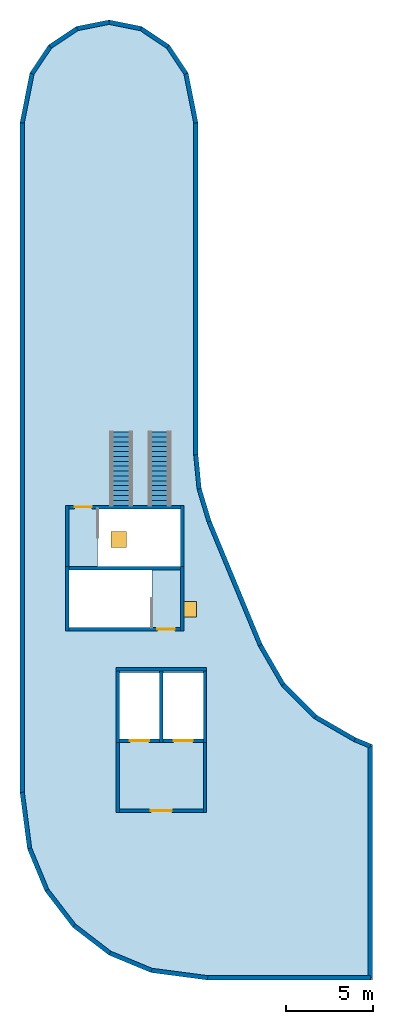
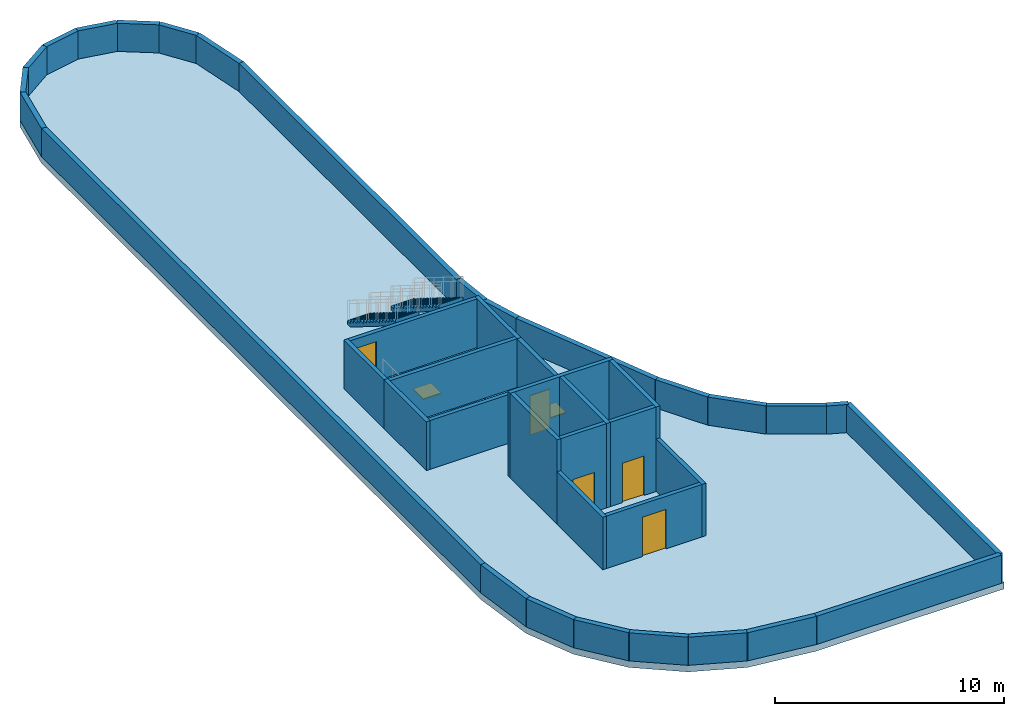
# One storey, part 1 of 2: 41 walls, 7 doors, 2 stair flights, 1 slab, 7 openings, 2 elements without a shape of their own.
"""IFC4 building model written with IfcOpenShell, lengths in metres."""

from ifc_helpers import new_model, si_unit, direction, frame, frame_2d, origin, origin_2d, place, context, subcontext, project, spatial, polyline, rectangle, outline, extrude, material, layer, layer_set, type_object, element, fill, aggregate, save


model = new_model("IFC4")

# Units and contexts
model_context = context("Model", 3, precision=1e-05, world=origin(), true_north=direction((0.0, 1.0)))
body_context = subcontext(model_context, "Body", "Model", "MODEL_VIEW")
ifc_project = project(units=[si_unit("LENGTHUNIT", "METRE"), si_unit("AREAUNIT", "SQUARE_METRE"), si_unit("VOLUMEUNIT", "CUBIC_METRE"), si_unit("PLANEANGLEUNIT", "RADIAN"), si_unit("MASSUNIT", "GRAM", prefix="KILO")], contexts=[model_context])

# Site, building, storey
site_placement = place(None, origin())
site = spatial("IfcSite", under=ifc_project, at=site_placement, CompositionType="ELEMENT")
building_placement = place(site_placement, origin())
building = spatial("IfcBuilding", under=site, at=building_placement, Name="Qaws Garden Tower", CompositionType="ELEMENT")
storey_placement = place(building_placement, frame((0.0, 0.0, 377.699951171875)))
storey = spatial("IfcBuildingStorey", under=building, at=storey_placement, Name="RF", CompositionType="ELEMENT", Elevation=377.699951171875)

# Slab, openings, doors
ifc_material_1 = material(Name="Concrete C40", Category="concrete")
ifc_layer_1 = layer(ifc_material_1, 0.35009765625)
ifc_layer_set_1 = layer_set([ifc_layer_1], Name="Concrete C40")
slab_type = type_object("IfcSlabType", Name="Floor slab 350 C40", PredefinedType="FLOOR", material=ifc_layer_set_1)
slab_placement = place(storey_placement, frame((0.0, 0.0, -0.349853515625)))
slab = element("IfcSlab", 1, at=slab_placement, inside=storey, type_object=slab_type, Name="Floor slab RF", PredefinedType="FLOOR", context=body_context, shape_type="SweptSolid", body=[
    extrude(outline(polyline([(17.407958984375, 10.32666015625), (14.99267578125, 11.3271484375), (12.918701171875, 12.918701171875), (11.3271484375, 14.99267578125), (10.32666015625, 17.407958984375), (9.89990234375, 20.64892578125), (9.89990234375, 59.02490234375), (10.46728515625, 61.87744140625), (11.531005859375, 63.468994140625), (13.12255859375, 64.53271484375), (15.0, 64.906005859375), (16.87744140625, 64.53271484375), (18.468994140625, 63.468994140625), (19.53271484375, 61.87744140625), (20.10009765625, 59.02490234375), (20.10009765625, 40.0), (20.290283203125, 38.068603515625), (20.853515625, 36.21142578125), (23.782470703125, 29.140380859375), (25.07470703125, 26.902099609375), (26.902099609375, 25.07470703125), (29.140380859375, 23.782470703125), (30.10009765625, 23.385009765625), (30.10009765625, 9.89990234375), (20.64892578125, 9.89990234375), (17.407958984375, 10.32666015625)]), holes=[polyline([(15.60009765625, 23.699951171875), (17.89990234375, 23.699951171875), (17.89990234375, 27.5), (15.60009765625, 27.5), (15.60009765625, 23.699951171875)]), polyline([(18.10009765625, 23.699951171875), (20.39990234375, 23.699951171875), (20.39990234375, 27.5), (18.10009765625, 27.5), (18.10009765625, 23.699951171875)]), polyline([(12.699951171875, 30.10009765625), (17.449462890625, 30.10009765625), (17.449462890625, 33.39990234375), (12.699951171875, 33.39990234375), (12.699951171875, 30.10009765625)]), polyline([(14.3505859375, 33.60009765625), (19.10009765625, 33.60009765625), (19.10009765625, 36.89990234375), (14.3505859375, 36.89990234375), (14.3505859375, 33.60009765625)])]), origin(), (0.0, 0.0, 1.0), 0.349853515625),
])
opening_1_placement = place(slab_placement, frame((15.56591796875, 35.135009765625, 0.0)))
opening_1 = element("IfcOpeningElement", 2, at=opening_1_placement, cuts=slab, Name="Opening PD10-01", PredefinedType="OPENING", context=body_context, shape_type="SweptSolid", body=[
    extrude(rectangle(XDim=0.89990234375, YDim=0.89990234375, at=origin_2d()), origin(), (0.0, 0.0, 1.0), 0.349853515625),
])
opening_2_placement = place(slab_placement, frame((19.56591796875, 31.135009765625, 0.0)))
opening_2 = element("IfcOpeningElement", 3, at=opening_2_placement, cuts=slab, Name="Opening PD10-02", PredefinedType="OPENING", context=body_context, shape_type="SweptSolid", body=[
    extrude(rectangle(XDim=0.89990234375, YDim=0.89990234375, at=origin_2d()), origin(), (0.0, 0.0, 1.0), 0.349853515625),
])
ifc_material_2 = material(Name="Aluminium hatch", Category="aluminium")
door_type_1 = type_object("IfcDoorType", Name="Roof hatch 900 x 900", OperationType="SINGLE_SWING_LEFT", PredefinedType="TRAPDOOR", material=ifc_material_2)
door_1_placement = place(opening_1_placement, frame((0.0, 0.0, 0.2998046875)))
door_1 = element("IfcDoor", 4, at=door_1_placement, inside=storey, type_object=door_type_1, Name="Roof access hatch", OperationType="SINGLE_SWING_LEFT", OverallHeight=0.89990234375, OverallWidth=0.89990234375, PredefinedType="TRAPDOOR", context=body_context, shape_type="SweptSolid", body=[
    extrude(rectangle(XDim=0.89990234375, YDim=0.89990234375, at=origin_2d()), origin(), (0.0, 0.0, 1.0), 0.050048828125),
])
fill(opening_1, door_1)
door_2_placement = place(opening_2_placement, frame((0.0, 0.0, 0.2998046875)))
door_2 = element("IfcDoor", 5, at=door_2_placement, inside=storey, type_object=door_type_1, Name="Roof access hatch", OperationType="SINGLE_SWING_LEFT", OverallHeight=0.89990234375, OverallWidth=0.89990234375, PredefinedType="TRAPDOOR", context=body_context, shape_type="SweptSolid", body=[
    extrude(rectangle(XDim=0.89990234375, YDim=0.89990234375, at=origin_2d()), origin(), (0.0, 0.0, 1.0), 0.050048828125),
])
fill(opening_2, door_2)

# Wall, opening, door
ifc_material_3 = material(Name="Concrete C60", Category="concrete")
ifc_layer_2 = layer(ifc_material_3, 0.199951171875)
ifc_layer_set_2 = layer_set([ifc_layer_2], Name="Concrete C60")
wall_type_1 = type_object("IfcWallType", Name="Core shaft wall 200 C60", PredefinedType="SHEAR", material=ifc_layer_set_2)
wall_1_placement = place(storey_placement, frame((12.699951171875, 30.0, 0.0), z_axis=(0.0, 0.0, 1.0), x_axis=(1.0, 0.0, 0.0)))
wall_1 = element("IfcWall", 6, at=wall_1_placement, inside=storey, type_object=wall_type_1, Name="Crown stair 1 wall", PredefinedType="SHEAR", context=body_context, shape_type="SweptSolid", body=[
    extrude(rectangle(XDim=6.400146484375, YDim=0.199951171875, at=frame_2d((3.2001953125, 0.0))), origin(), (0.0, 0.0, 1.0), 2.60009765625),
])
opening_3_placement = place(wall_1_placement, frame((5.074951171875, 0.0, 0.0)))
opening_3 = element("IfcOpeningElement", 7, at=opening_3_placement, cuts=wall_1, Name="Opening RF01", PredefinedType="OPENING", context=body_context, shape_type="SweptSolid", body=[
    extrude(rectangle(XDim=1.0, YDim=2.10009765625, at=frame_2d((0.5, 1.050048828125))), frame((0.0, 0.10986328125, 0.0), z_axis=(0.0, -1.0, 0.0), x_axis=(1.0, 0.0, 0.0)), (0.0, 0.0, 1.0), 0.219970703125),
])
ifc_material_4 = material(Name="Steel S235", Category="steel")
door_type_2 = type_object("IfcDoorType", Name="Stair door 1000x2100", OperationType="SINGLE_SWING_RIGHT", PredefinedType="DOOR", material=ifc_material_4)
door_3_placement = place(opening_3_placement, frame((1.0, 0.0, 0.0), z_axis=(0.0, 0.0, 1.0), x_axis=(-1.0, 0.0, 0.0)))
door_3 = element("IfcDoor", 8, at=door_3_placement, inside=storey, type_object=door_type_2, Name="Crown stair 1 roof door", OperationType="SINGLE_SWING_LEFT", OverallHeight=2.10009765625, OverallWidth=1.0, PredefinedType="DOOR", context=body_context, shape_type="SweptSolid", body=[
    extrude(rectangle(XDim=1.0, YDim=2.10009765625, at=frame_2d((0.5, 1.050048828125))), frame((0.0, 0.02490234375, 0.0), z_axis=(0.0, -1.0, 0.0), x_axis=(1.0, 0.0, 0.0)), (0.0, 0.0, 1.0), 0.050048828125),
])
fill(opening_3, door_3)

# Walls
wall_2_placement = place(storey_placement, frame((12.699951171875, 33.5, 0.0), z_axis=(0.0, 0.0, 1.0), x_axis=(1.0, 0.0, 0.0)))
element("IfcWall", 9, at=wall_2_placement, inside=storey, type_object=wall_type_1, Name="Crown stair 1 wall", PredefinedType="SHEAR", context=body_context, shape_type="SweptSolid", body=[
    extrude(rectangle(XDim=6.400146484375, YDim=0.199951171875, at=frame_2d((3.2001953125, 0.0))), origin(), (0.0, 0.0, 1.0), 2.60009765625),
])
for number, where, z_axis, x_axis, name in (
    (10, (12.60009765625, 29.89990234375, 0.0), (0.0, 0.0, 1.0), (0.0, 1.0, 0.0), "Crown stair 1 wall"),
    (11, (19.199951171875, 29.89990234375, 0.0), (0.0, 0.0, 1.0), (0.0, 1.0, 0.0), "Crown stair 1 wall"),
):
    element("IfcWall", number, at=place(storey_placement, frame(where, z_axis=z_axis, x_axis=x_axis)), inside=storey, type_object=wall_type_1, Name=name, PredefinedType="SHEAR", context=body_context, shape_type="SweptSolid", body=[
        extrude(rectangle(XDim=3.7001953125, YDim=0.199951171875, at=frame_2d((1.85009765625, 0.0))), origin(), (0.0, 0.0, 1.0), 2.60009765625),
    ])

# Wall, opening, door
wall_3_placement = place(storey_placement, frame((12.699951171875, 37.0, 0.0), z_axis=(0.0, 0.0, 1.0), x_axis=(1.0, 0.0, 0.0)))
wall_3 = element("IfcWall", 12, at=wall_3_placement, inside=storey, type_object=wall_type_1, Name="Crown stair 2 wall", PredefinedType="SHEAR", context=body_context, shape_type="SweptSolid", body=[
    extrude(rectangle(XDim=6.400146484375, YDim=0.199951171875, at=frame_2d((3.2001953125, 0.0))), origin(), (0.0, 0.0, 1.0), 2.60009765625),
])
opening_4_placement = place(wall_3_placement, frame((0.324951171875, 0.0, 0.0)))
opening_4 = element("IfcOpeningElement", 13, at=opening_4_placement, cuts=wall_3, Name="Opening RF02", PredefinedType="OPENING", context=body_context, shape_type="SweptSolid", body=[
    extrude(rectangle(XDim=1.0, YDim=2.10009765625, at=frame_2d((0.5, 1.050048828125))), frame((0.0, 0.10986328125, 0.0), z_axis=(0.0, -1.0, 0.0), x_axis=(1.0, 0.0, 0.0)), (0.0, 0.0, 1.0), 0.219970703125),
])
door_4_placement = place(opening_4_placement, origin())
door_4 = element("IfcDoor", 14, at=door_4_placement, inside=storey, type_object=door_type_2, Name="Crown stair 2 roof door", OperationType="SINGLE_SWING_RIGHT", OverallHeight=2.10009765625, OverallWidth=1.0, PredefinedType="DOOR", context=body_context, shape_type="SweptSolid", body=[
    extrude(rectangle(XDim=1.0, YDim=2.10009765625, at=frame_2d((0.5, 1.050048828125))), frame((0.0, 0.02490234375, 0.0), z_axis=(0.0, -1.0, 0.0), x_axis=(1.0, 0.0, 0.0)), (0.0, 0.0, 1.0), 0.050048828125),
])
fill(opening_4, door_4)

# Walls
for number, where, z_axis, x_axis, name in (
    (15, (12.60009765625, 33.39990234375, 0.0), (0.0, 0.0, 1.0), (0.0, 1.0, 0.0), "Crown stair 2 wall"),
    (16, (19.199951171875, 33.39990234375, 0.0), (0.0, 0.0, 1.0), (0.0, 1.0, 0.0), "Crown stair 2 wall"),
):
    element("IfcWall", number, at=place(storey_placement, frame(where, z_axis=z_axis, x_axis=x_axis)), inside=storey, type_object=wall_type_1, Name=name, PredefinedType="SHEAR", context=body_context, shape_type="SweptSolid", body=[
        extrude(rectangle(XDim=3.7001953125, YDim=0.199951171875, at=frame_2d((1.85009765625, 0.0))), origin(), (0.0, 0.0, 1.0), 2.60009765625),
    ])
for number, where, z_axis, x_axis, name in (
    (17, (15.5, 23.5, 0.0), (0.0, 0.0, 1.0), (0.0, 1.0, 0.0), "Lift shaft wall"),
    (18, (18.0, 23.5, 0.0), (0.0, 0.0, 1.0), (0.0, 1.0, 0.0), "Lift shaft wall"),
    (19, (20.5, 23.5, 0.0), (0.0, 0.0, 1.0), (0.0, 1.0, 0.0), "Lift shaft wall"),
):
    element("IfcWall", number, at=place(storey_placement, frame(where, z_axis=z_axis, x_axis=x_axis)), inside=storey, type_object=wall_type_1, Name=name, PredefinedType="SHEAR", context=body_context, shape_type="SweptSolid", body=[
        extrude(rectangle(XDim=4.10009765625, YDim=0.199951171875, at=frame_2d((2.050048828125, 0.0))), origin(), (0.0, 0.0, 1.0), 4.5),
    ])
wall_4_placement = place(storey_placement, frame((15.39990234375, 27.699951171875, 0.0), z_axis=(0.0, 0.0, 1.0), x_axis=(1.0, 0.0, 0.0)))
element("IfcWall", 20, at=wall_4_placement, inside=storey, type_object=wall_type_1, Name="Lift shaft wall", PredefinedType="SHEAR", context=body_context, shape_type="SweptSolid", body=[
    extrude(rectangle(XDim=5.2001953125, YDim=0.199951171875, at=frame_2d((2.60009765625, 0.0))), origin(), (0.0, 0.0, 1.0), 4.5),
])

# Wall, opening, door
wall_5_placement = place(storey_placement, frame((15.60009765625, 23.60009765625, 0.0), z_axis=(0.0, 0.0, 1.0), x_axis=(1.0, 0.0, 0.0)))
wall_5 = element("IfcWall", 21, at=wall_5_placement, inside=storey, type_object=wall_type_1, Name="Lift shaft wall", PredefinedType="SHEAR", context=body_context, shape_type="SweptSolid", body=[
    extrude(rectangle(XDim=2.2998046875, YDim=0.199951171875, at=frame_2d((1.14990234375, 0.0))), origin(), (0.0, 0.0, 1.0), 4.5),
])
opening_5_placement = place(wall_5_placement, frame((0.60009765625, 0.0, 0.0)))
opening_5 = element("IfcOpeningElement", 22, at=opening_5_placement, cuts=wall_5, Name="Opening LD", PredefinedType="OPENING", context=body_context, shape_type="SweptSolid", body=[
    extrude(rectangle(XDim=1.10009765625, YDim=2.10009765625, at=frame_2d((0.550048828125, 1.050048828125))), frame((0.0, 0.10986328125, 0.0), z_axis=(0.0, -1.0, 0.0), x_axis=(1.0, 0.0, 0.0)), (0.0, 0.0, 1.0), 0.219970703125),
])
ifc_material_5 = material(Name="Steel S235", Category="steel")
door_type_3 = type_object("IfcDoorType", Name="Landing door 1100x2100", OperationType="DOUBLE_DOOR_SLIDING", PredefinedType="DOOR", material=ifc_material_5)
door_5_placement = place(opening_5_placement, origin())
door_5 = element("IfcDoor", 23, at=door_5_placement, inside=storey, type_object=door_type_3, Name="Lift FF3 landing door", OperationType="DOUBLE_DOOR_SLIDING", OverallHeight=2.10009765625, OverallWidth=1.10009765625, PredefinedType="DOOR", context=body_context, shape_type="SweptSolid", body=[
    extrude(rectangle(XDim=1.10009765625, YDim=2.10009765625, at=frame_2d((0.550048828125, 1.050048828125))), frame((0.0, 0.02490234375, 0.0), z_axis=(0.0, -1.0, 0.0), x_axis=(1.0, 0.0, 0.0)), (0.0, 0.0, 1.0), 0.050048828125),
])
fill(opening_5, door_5)

wall_6_placement = place(storey_placement, frame((18.10009765625, 23.60009765625, 0.0), z_axis=(0.0, 0.0, 1.0), x_axis=(1.0, 0.0, 0.0)))
wall_6 = element("IfcWall", 24, at=wall_6_placement, inside=storey, type_object=wall_type_1, Name="Lift shaft wall", PredefinedType="SHEAR", context=body_context, shape_type="SweptSolid", body=[
    extrude(rectangle(XDim=2.2998046875, YDim=0.199951171875, at=frame_2d((1.14990234375, 0.0))), origin(), (0.0, 0.0, 1.0), 4.5),
])
opening_6_placement = place(wall_6_placement, frame((0.60009765625, 0.0, 0.0)))
opening_6 = element("IfcOpeningElement", 25, at=opening_6_placement, cuts=wall_6, Name="Opening LD", PredefinedType="OPENING", context=body_context, shape_type="SweptSolid", body=[
    extrude(rectangle(XDim=1.10009765625, YDim=2.10009765625, at=frame_2d((0.550048828125, 1.050048828125))), frame((0.0, 0.10986328125, 0.0), z_axis=(0.0, -1.0, 0.0), x_axis=(1.0, 0.0, 0.0)), (0.0, 0.0, 1.0), 0.219970703125),
])
door_6_placement = place(opening_6_placement, origin())
door_6 = element("IfcDoor", 26, at=door_6_placement, inside=storey, type_object=door_type_3, Name="Lift SV2 landing door", OperationType="DOUBLE_DOOR_SLIDING", OverallHeight=2.10009765625, OverallWidth=1.10009765625, PredefinedType="DOOR", context=body_context, shape_type="SweptSolid", body=[
    extrude(rectangle(XDim=1.10009765625, YDim=2.10009765625, at=frame_2d((0.550048828125, 1.050048828125))), frame((0.0, 0.02490234375, 0.0), z_axis=(0.0, -1.0, 0.0), x_axis=(1.0, 0.0, 0.0)), (0.0, 0.0, 1.0), 0.050048828125),
])
fill(opening_6, door_6)

# Walls
for number, where, z_axis, x_axis, name in (
    (27, (15.5, 19.5, 0.0), (0.0, 0.0, 1.0), (0.0, 1.0, 0.0), "Lift lobby wall"),
    (28, (20.5, 19.5, 0.0), (0.0, 0.0, 1.0), (0.0, 1.0, 0.0), "Lift lobby wall"),
):
    element("IfcWall", number, at=place(storey_placement, frame(where, z_axis=z_axis, x_axis=x_axis)), inside=storey, type_object=wall_type_1, Name=name, PredefinedType="SHEAR", context=body_context, shape_type="SweptSolid", body=[
        extrude(rectangle(XDim=4.0, YDim=0.199951171875, at=frame_2d((2.0, 0.0))), origin(), (0.0, 0.0, 1.0), 2.800048828125),
    ])

# Wall, opening, door
wall_7_placement = place(storey_placement, frame((15.60009765625, 19.60009765625, 0.0), z_axis=(0.0, 0.0, 1.0), x_axis=(1.0, 0.0, 0.0)))
wall_7 = element("IfcWall", 29, at=wall_7_placement, inside=storey, type_object=wall_type_1, Name="Lift lobby wall", PredefinedType="SHEAR", context=body_context, shape_type="SweptSolid", body=[
    extrude(rectangle(XDim=4.7998046875, YDim=0.199951171875, at=frame_2d((2.39990234375, 0.0))), origin(), (0.0, 0.0, 1.0), 2.800048828125),
])
opening_7_placement = place(wall_7_placement, frame((1.800048828125, 0.0, 0.0)))
opening_7 = element("IfcOpeningElement", 30, at=opening_7_placement, cuts=wall_7, Name="Opening FD", PredefinedType="OPENING", context=body_context, shape_type="SweptSolid", body=[
    extrude(rectangle(XDim=1.199951171875, YDim=2.10009765625, at=frame_2d((0.60009765625, 1.050048828125))), frame((0.0, 0.10986328125, 0.0), z_axis=(0.0, -1.0, 0.0), x_axis=(1.0, 0.0, 0.0)), (0.0, 0.0, 1.0), 0.219970703125),
])
ifc_material_6 = material(Name="Steel S235", Category="steel")
door_type_4 = type_object("IfcDoorType", Name="Lobby door 1200x2100", OperationType="DOUBLE_DOOR_SINGLE_SWING", PredefinedType="DOOR", material=ifc_material_6)
door_7_placement = place(opening_7_placement, frame((1.199951171875, 0.0, 0.0), z_axis=(0.0, 0.0, 1.0), x_axis=(-1.0, 0.0, 0.0)))
door_7 = element("IfcDoor", 31, at=door_7_placement, inside=storey, type_object=door_type_4, Name="Crown lift lobby door", OperationType="DOUBLE_DOOR_SINGLE_SWING", OverallHeight=2.10009765625, OverallWidth=1.199951171875, PredefinedType="DOOR", context=body_context, shape_type="SweptSolid", body=[
    extrude(rectangle(XDim=1.199951171875, YDim=2.10009765625, at=frame_2d((0.60009765625, 1.050048828125))), frame((0.0, 0.02490234375, 0.0), z_axis=(0.0, -1.0, 0.0), x_axis=(1.0, 0.0, 0.0)), (0.0, 0.0, 1.0), 0.050048828125),
])
fill(opening_7, door_7)

# Walls
ifc_material_7 = material(Name="Brick masonry", Category="masonry")
ifc_layer_3 = layer(ifc_material_7, 0.25)
ifc_layer_set_3 = layer_set([ifc_layer_3], Name="Brick masonry")
wall_type_2 = type_object("IfcWallType", Name="Parapet 250", PredefinedType="PARAPET", material=ifc_layer_set_3)
wall_8_placement = place(storey_placement, frame((20.656982421875, 10.02490234375, 0.0), z_axis=(0.0, 0.0, 1.0), x_axis=(-0.991438919586, 0.130571316645, 0.0)))
element("IfcWall", 32, at=wall_8_placement, inside=storey, type_object=wall_type_2, Name="Roof parapet 1", PredefinedType="PARAPET", context=body_context, shape_type="SweptSolid", body=[
    extrude(rectangle(XDim=3.244140625, YDim=0.25, at=frame_2d((1.6220703125, 0.0))), origin(), (0.0, 0.0, 1.0), 1.5),
])
wall_9_placement = place(storey_placement, frame((17.440673828125, 10.448486328125, 0.0), z_axis=(0.0, 0.0, 1.0), x_axis=(-0.923880805807, 0.382680358343, 0.0)))
element("IfcWall", 33, at=wall_9_placement, inside=storey, type_object=wall_type_2, Name="Roof parapet 2", PredefinedType="PARAPET", context=body_context, shape_type="SweptSolid", body=[
    extrude(rectangle(XDim=2.581298828125, YDim=0.25, at=frame_2d((1.29052734375, 0.0))), origin(), (0.0, 0.0, 1.0), 1.5),
])
for number, where, z_axis, x_axis, name in (
    (34, (15.055908203125, 11.436279296875, 0.0), (0.0, 0.0, 1.0), (-0.793358186419, 0.60875511336, 0.0), "Roof parapet 3"),
    (35, (13.0078125, 13.0078125, 0.0), (0.0, 0.0, 1.0), (-0.60875511336, 0.793358186419, 0.0), "Roof parapet 4"),
):
    element("IfcWall", number, at=place(storey_placement, frame(where, z_axis=z_axis, x_axis=x_axis)), inside=storey, type_object=wall_type_2, Name=name, PredefinedType="PARAPET", context=body_context, shape_type="SweptSolid", body=[
        extrude(rectangle(XDim=2.58154296875, YDim=0.25, at=frame_2d((1.290771484375, 0.0))), origin(), (0.0, 0.0, 1.0), 1.5),
    ])
wall_10_placement = place(storey_placement, frame((11.436279296875, 15.055908203125, 0.0), z_axis=(0.0, 0.0, 1.0), x_axis=(-0.382680358343, 0.923880805807, 0.0)))
element("IfcWall", 36, at=wall_10_placement, inside=storey, type_object=wall_type_2, Name="Roof parapet 5", PredefinedType="PARAPET", context=body_context, shape_type="SweptSolid", body=[
    extrude(rectangle(XDim=2.581298828125, YDim=0.25, at=frame_2d((1.29052734375, 0.0))), origin(), (0.0, 0.0, 1.0), 1.5),
])
wall_11_placement = place(storey_placement, frame((10.448486328125, 17.440673828125, 0.0), z_axis=(0.0, 0.0, 1.0), x_axis=(-0.130571316645, 0.991438919586, 0.0)))
element("IfcWall", 37, at=wall_11_placement, inside=storey, type_object=wall_type_2, Name="Roof parapet 6", PredefinedType="PARAPET", context=body_context, shape_type="SweptSolid", body=[
    extrude(rectangle(XDim=3.244140625, YDim=0.25, at=frame_2d((1.6220703125, 0.0))), origin(), (0.0, 0.0, 1.0), 1.5),
])
wall_12_placement = place(storey_placement, frame((10.02490234375, 20.656982421875, 0.0), z_axis=(0.0, 0.0, 1.0), x_axis=(0.0, 1.0, 0.0)))
element("IfcWall", 38, at=wall_12_placement, inside=storey, type_object=wall_type_2, Name="Roof parapet 7", PredefinedType="PARAPET", context=body_context, shape_type="SweptSolid", body=[
    extrude(rectangle(XDim=38.355712890625, YDim=0.25, at=frame_2d((19.177734375, 0.0))), origin(), (0.0, 0.0, 1.0), 1.5),
])
wall_13_placement = place(storey_placement, frame((10.02490234375, 59.0126953125, 0.0), z_axis=(0.0, 0.0, 1.0), x_axis=(0.195151240213, 0.980773161054, 0.0)))
element("IfcWall", 39, at=wall_13_placement, inside=storey, type_object=wall_type_2, Name="Roof parapet 8", PredefinedType="PARAPET", context=body_context, shape_type="SweptSolid", body=[
    extrude(rectangle(XDim=2.87109375, YDim=0.25, at=frame_2d((1.435546875, 0.0))), origin(), (0.0, 0.0, 1.0), 1.5),
])
for number, where, z_axis, x_axis, name in (
    (40, (10.585205078125, 61.82861328125, 0.0), (0.0, 0.0, 1.0), (0.555576175829, 0.831465641413, 0.0), "Roof parapet 9"),
    (41, (11.62109375, 63.37890625, 0.0), (0.0, 0.0, 1.0), (0.831465641413, 0.555576175829, 0.0), "Roof parapet 10"),
    (42, (13.17138671875, 64.414794921875, 0.0), (0.0, 0.0, 1.0), (0.980781612923, 0.195108758779, 0.0), "Roof parapet 11"),
    (43, (15.0, 64.778564453125, 0.0), (0.0, 0.0, 1.0), (0.980781612923, -0.195108758779, 0.0), "Roof parapet 12"),
    (44, (16.82861328125, 64.414794921875, 0.0), (0.0, 0.0, 1.0), (0.831465641413, -0.555576175829, 0.0), "Roof parapet 13"),
    (45, (18.37890625, 63.37890625, 0.0), (0.0, 0.0, 1.0), (0.555576175829, -0.831465641413, 0.0), "Roof parapet 14"),
):
    element("IfcWall", number, at=place(storey_placement, frame(where, z_axis=z_axis, x_axis=x_axis)), inside=storey, type_object=wall_type_2, Name=name, PredefinedType="PARAPET", context=body_context, shape_type="SweptSolid", body=[
        extrude(rectangle(XDim=1.864501953125, YDim=0.25, at=frame_2d((0.93212890625, 0.0))), origin(), (0.0, 0.0, 1.0), 1.5),
    ])
wall_14_placement = place(storey_placement, frame((19.414794921875, 61.82861328125, 0.0), z_axis=(0.0, 0.0, 1.0), x_axis=(0.195151240213, -0.980773161054, 0.0)))
element("IfcWall", 46, at=wall_14_placement, inside=storey, type_object=wall_type_2, Name="Roof parapet 15", PredefinedType="PARAPET", context=body_context, shape_type="SweptSolid", body=[
    extrude(rectangle(XDim=2.87109375, YDim=0.25, at=frame_2d((1.435546875, 0.0))), origin(), (0.0, 0.0, 1.0), 1.5),
])
wall_15_placement = place(storey_placement, frame((19.97509765625, 59.0126953125, 0.0), z_axis=(0.0, 0.0, 1.0), x_axis=(0.0, -1.0, 0.0)))
element("IfcWall", 47, at=wall_15_placement, inside=storey, type_object=wall_type_2, Name="Roof parapet 16", PredefinedType="PARAPET", context=body_context, shape_type="SweptSolid", body=[
    extrude(rectangle(XDim=19.018798828125, YDim=0.25, at=frame_2d((9.50927734375, 0.0))), origin(), (0.0, 0.0, 1.0), 1.5),
])
wall_16_placement = place(storey_placement, frame((19.97509765625, 39.993896484375, 0.0), z_axis=(0.0, 0.0, 1.0), x_axis=(0.097948969534, -0.995191438552, 0.0)))
element("IfcWall", 48, at=wall_16_placement, inside=storey, type_object=wall_type_2, Name="Roof parapet 17", PredefinedType="PARAPET", context=body_context, shape_type="SweptSolid", body=[
    extrude(rectangle(XDim=1.959228515625, YDim=0.25, at=frame_2d((0.9794921875, 0.0))), origin(), (0.0, 0.0, 1.0), 1.5),
])
wall_17_placement = place(storey_placement, frame((20.1669921875, 38.044189453125, 0.0), z_axis=(0.0, 0.0, 1.0), x_axis=(0.290318618625, -0.956930039073, 0.0)))
element("IfcWall", 49, at=wall_17_placement, inside=storey, type_object=wall_type_2, Name="Roof parapet 18", PredefinedType="PARAPET", context=body_context, shape_type="SweptSolid", body=[
    extrude(rectangle(XDim=1.95947265625, YDim=0.25, at=frame_2d((0.979736328125, 0.0))), origin(), (0.0, 0.0, 1.0), 1.5),
])
wall_18_placement = place(storey_placement, frame((20.73583984375, 36.169189453125, 0.0), z_axis=(0.0, 0.0, 1.0), x_axis=(0.382677047508, -0.92388217718, 0.0)))
element("IfcWall", 50, at=wall_18_placement, inside=storey, type_object=wall_type_2, Name="Roof parapet 19", PredefinedType="PARAPET", context=body_context, shape_type="SweptSolid", body=[
    extrude(rectangle(XDim=7.66796875, YDim=0.25, at=frame_2d((3.833984375, 0.0))), origin(), (0.0, 0.0, 1.0), 1.5),
])
wall_19_placement = place(storey_placement, frame((23.670166015625, 29.0849609375, 0.0), z_axis=(0.0, 0.0, 1.0), x_axis=(0.499973559465, -0.866040668696, 0.0)))
element("IfcWall", 51, at=wall_19_placement, inside=storey, type_object=wall_type_2, Name="Roof parapet 20", PredefinedType="PARAPET", context=body_context, shape_type="SweptSolid", body=[
    extrude(rectangle(XDim=2.609130859375, YDim=0.25, at=frame_2d((1.3046875, 0.0))), origin(), (0.0, 0.0, 1.0), 1.5),
])
wall_20_placement = place(storey_placement, frame((24.974609375, 26.825439453125, 0.0), z_axis=(0.0, 0.0, 1.0), x_axis=(0.707106781187, -0.707106781187, 0.0)))
element("IfcWall", 52, at=wall_20_placement, inside=storey, type_object=wall_type_2, Name="Roof parapet 21", PredefinedType="PARAPET", context=body_context, shape_type="SweptSolid", body=[
    extrude(rectangle(XDim=2.617431640625, YDim=0.25, at=frame_2d((1.30859375, 0.0))), origin(), (0.0, 0.0, 1.0), 1.5),
])
wall_21_placement = place(storey_placement, frame((26.825439453125, 24.974609375, 0.0), z_axis=(0.0, 0.0, 1.0), x_axis=(0.866040668696, -0.499973559465, 0.0)))
element("IfcWall", 53, at=wall_21_placement, inside=storey, type_object=wall_type_2, Name="Roof parapet 22", PredefinedType="PARAPET", context=body_context, shape_type="SweptSolid", body=[
    extrude(rectangle(XDim=2.609130859375, YDim=0.25, at=frame_2d((1.3046875, 0.0))), origin(), (0.0, 0.0, 1.0), 1.5),
])
wall_22_placement = place(storey_placement, frame((29.0849609375, 23.670166015625, 0.0), z_axis=(0.0, 0.0, 1.0), x_axis=(0.923899478489, -0.382635274964, 0.0)))
element("IfcWall", 54, at=wall_22_placement, inside=storey, type_object=wall_type_2, Name="Roof parapet 23", PredefinedType="PARAPET", context=body_context, shape_type="SweptSolid", body=[
    extrude(rectangle(XDim=0.96337890625, YDim=0.25, at=frame_2d((0.481689453125, 0.0))), origin(), (0.0, 0.0, 1.0), 1.5),
])
wall_23_placement = place(storey_placement, frame((29.97509765625, 23.301513671875, 0.0), z_axis=(0.0, 0.0, 1.0), x_axis=(0.0, -1.0, 0.0)))
element("IfcWall", 55, at=wall_23_placement, inside=storey, type_object=wall_type_2, Name="Roof parapet 24", PredefinedType="PARAPET", context=body_context, shape_type="SweptSolid", body=[
    extrude(rectangle(XDim=13.276611328125, YDim=0.25, at=frame_2d((6.63818359375, 0.0))), origin(), (0.0, 0.0, 1.0), 1.5),
])
wall_24_placement = place(storey_placement, frame((29.97509765625, 10.02490234375, 0.0), z_axis=(0.0, 0.0, 1.0), x_axis=(-1.0, 0.0, 0.0)))
element("IfcWall", 56, at=wall_24_placement, inside=storey, type_object=wall_type_2, Name="Roof parapet 25", PredefinedType="PARAPET", context=body_context, shape_type="SweptSolid", body=[
    extrude(rectangle(XDim=9.318115234375, YDim=0.25, at=frame_2d((4.6591796875, 0.0))), origin(), (0.0, 0.0, 1.0), 1.5),
])

# Stair, stair flight
ifc_material_8 = material(Name="Steel S355", Category="steel")
stair_type = type_object("IfcStairType", Name="Roof access stair 1200", PredefinedType="STRAIGHT_RUN_STAIR", material=ifc_material_8)
placement = place(storey_placement, origin())
stair_1 = element("IfcStair", 57, at=placement, inside=storey, type_object=stair_type, Name="Roof access stair 1", PredefinedType="STRAIGHT_RUN_STAIR")
ifc_material_9 = material(Name="Steel S355", Category="steel")
stair_flight_type = type_object("IfcStairFlightType", Name="Roof stair flight 1200", PredefinedType="STRAIGHT", material=ifc_material_9)
stair_flight_1_placement = place(storey_placement, frame((15.699951171875, 41.300048828125, 0.0), z_axis=(0.0, 0.0, 1.0), x_axis=(0.0, -1.0, 0.0)))
stair_flight_1 = element("IfcStairFlight", 58, at=stair_flight_1_placement, type_object=stair_flight_type, Name="RS1 flight 1", NumberOfRisers=16, NumberOfTreads=15, PredefinedType="STRAIGHT", RiserHeight=0.175, TreadLength=0.28, context=body_context, shape_type="SweptSolid", body=[
    extrude(outline(polyline([(-0.0029296875, 0.0), (-0.0029296875, 0.175048828125), (0.0, 0.175048828125), (0.280029296875, 0.175048828125), (0.280029296875, 0.35009765625), (0.56005859375, 0.35009765625), (0.56005859375, 0.52490234375), (0.840087890625, 0.52490234375), (0.840087890625, 0.699951171875), (1.1201171875, 0.699951171875), (1.1201171875, 0.875), (1.39990234375, 0.875), (1.39990234375, 1.050048828125), (1.679931640625, 1.050048828125), (1.679931640625, 1.22509765625), (1.9599609375, 1.22509765625), (1.9599609375, 1.39990234375), (2.239990234375, 1.39990234375), (2.239990234375, 1.574951171875), (2.52001953125, 1.574951171875), (2.52001953125, 1.75), (2.800048828125, 1.75), (2.800048828125, 1.925048828125), (3.080078125, 1.925048828125), (3.080078125, 2.10009765625), (3.360107421875, 2.10009765625), (3.360107421875, 2.27490234375), (3.639892578125, 2.27490234375), (3.639892578125, 2.449951171875), (3.919921875, 2.449951171875), (3.919921875, 2.625), (4.199951171875, 2.625), (4.199951171875, 2.800048828125), (4.202880859375, 2.800048828125), (4.202880859375, 2.4482421875), (4.199951171875, 2.4482421875), (0.28271484375, 0.0), (-0.0029296875, 0.0)])), frame((0.0, 0.60009765625, 0.0), z_axis=(0.0, -1.0, 0.0), x_axis=(1.0, 0.0, 0.0)), (0.0, 0.0, 1.0), 1.199951171875),
])
aggregate(stair_1, [stair_flight_1])

stair_2 = element("IfcStair", 59, at=placement, inside=storey, type_object=stair_type, Name="Roof access stair 2", PredefinedType="STRAIGHT_RUN_STAIR")
stair_flight_2_placement = place(storey_placement, frame((17.89990234375, 41.300048828125, 0.0), z_axis=(0.0, 0.0, 1.0), x_axis=(0.0, -1.0, 0.0)))
stair_flight_2 = element("IfcStairFlight", 60, at=stair_flight_2_placement, type_object=stair_flight_type, Name="RS2 flight 1", NumberOfRisers=16, NumberOfTreads=15, PredefinedType="STRAIGHT", RiserHeight=0.175, TreadLength=0.28, context=body_context, shape_type="SweptSolid", body=[
    extrude(outline(polyline([(-0.0029296875, 0.0), (-0.0029296875, 0.175048828125), (0.0, 0.175048828125), (0.280029296875, 0.175048828125), (0.280029296875, 0.35009765625), (0.56005859375, 0.35009765625), (0.56005859375, 0.52490234375), (0.840087890625, 0.52490234375), (0.840087890625, 0.699951171875), (1.1201171875, 0.699951171875), (1.1201171875, 0.875), (1.39990234375, 0.875), (1.39990234375, 1.050048828125), (1.679931640625, 1.050048828125), (1.679931640625, 1.22509765625), (1.9599609375, 1.22509765625), (1.9599609375, 1.39990234375), (2.239990234375, 1.39990234375), (2.239990234375, 1.574951171875), (2.52001953125, 1.574951171875), (2.52001953125, 1.75), (2.800048828125, 1.75), (2.800048828125, 1.925048828125), (3.080078125, 1.925048828125), (3.080078125, 2.10009765625), (3.360107421875, 2.10009765625), (3.360107421875, 2.27490234375), (3.639892578125, 2.27490234375), (3.639892578125, 2.449951171875), (3.919921875, 2.449951171875), (3.919921875, 2.625), (4.199951171875, 2.625), (4.199951171875, 2.800048828125), (4.202880859375, 2.800048828125), (4.202880859375, 2.4482421875), (4.199951171875, 2.4482421875), (0.28271484375, 0.0), (-0.0029296875, 0.0)])), frame((0.0, 0.60009765625, 0.0), z_axis=(0.0, -1.0, 0.0), x_axis=(1.0, 0.0, 0.0)), (0.0, 0.0, 1.0), 1.199951171875),
])
aggregate(stair_2, [stair_flight_2])

save(model, "model.ifc")
